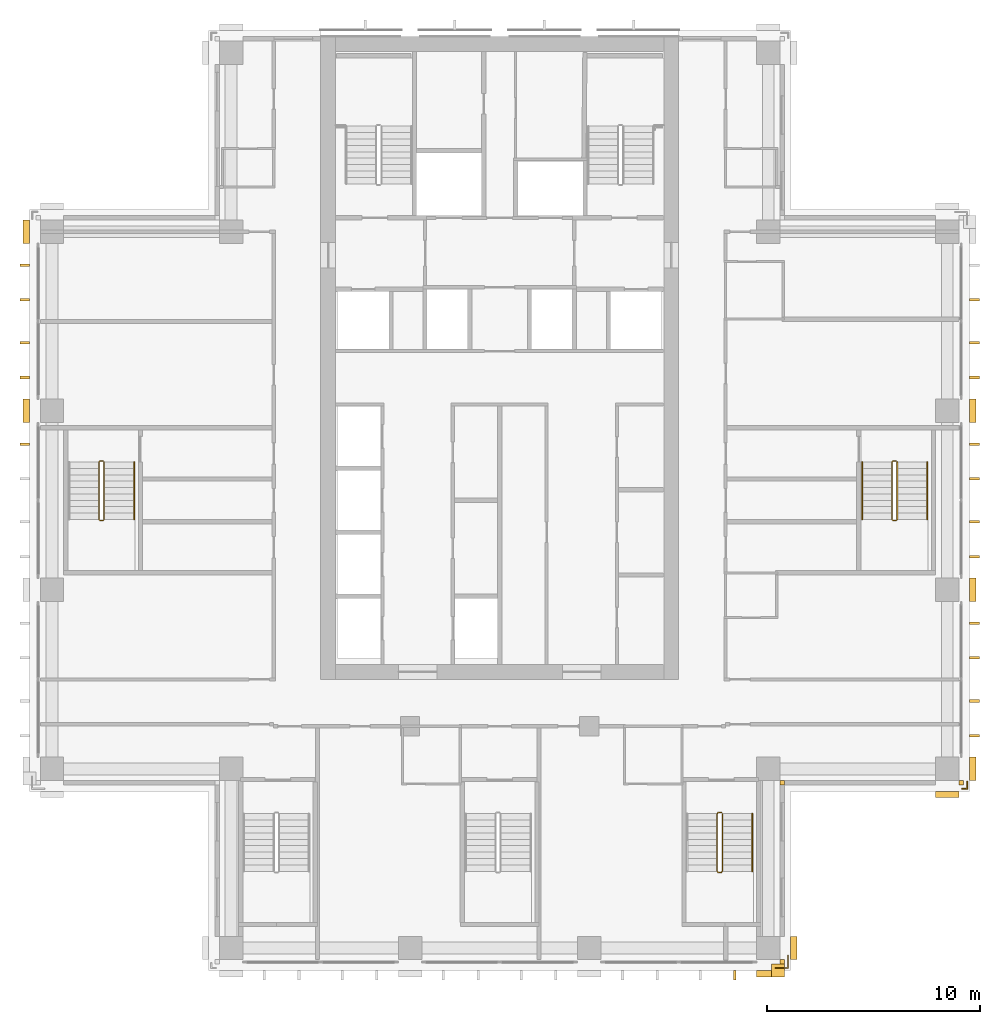
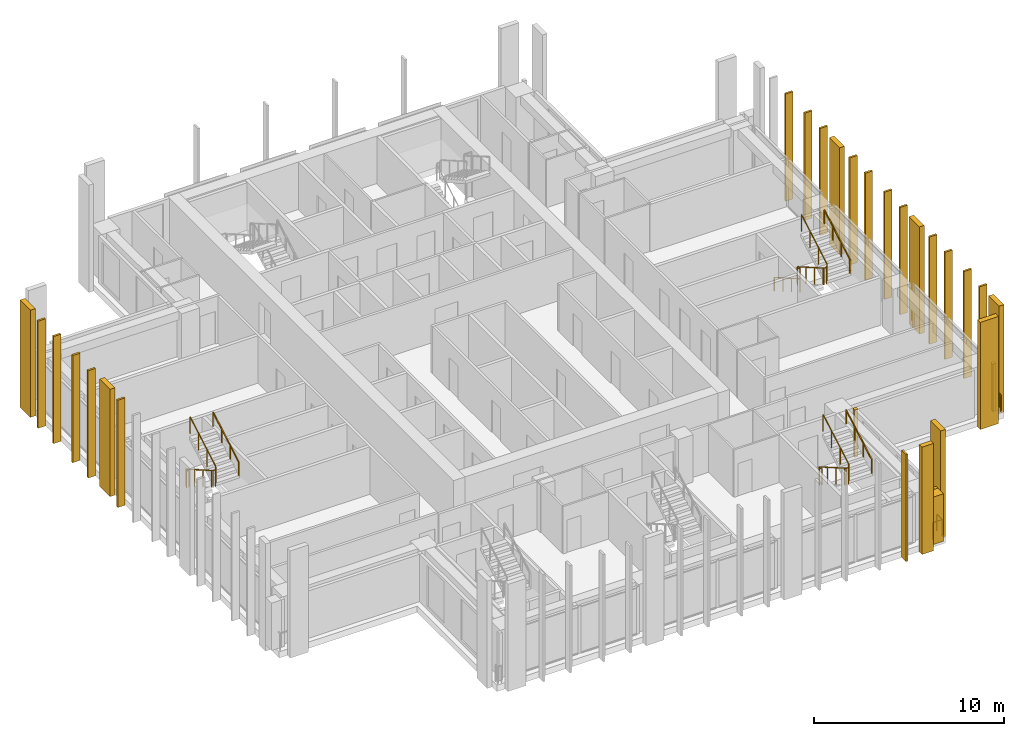
# One storey, part 15 of 16: 29 coverings, 9 railings.
"""IFC4 building model written with IfcOpenShell, lengths in metres."""

from ifc_helpers import new_model, si_unit, direction, frame, origin, origin_2d, place, context, subcontext, project, spatial, polyline, rectangle, outline, extrude, material, layer, layer_set, type_object, element, save


model = new_model("IFC4")

# Units and contexts
model_context = context("Model", 3, precision=1e-05, world=origin(), true_north=direction((0.0, 1.0)))
body_context = subcontext(model_context, "Body", "Model", "MODEL_VIEW")
ifc_project = project(units=[si_unit("LENGTHUNIT", "METRE"), si_unit("AREAUNIT", "SQUARE_METRE"), si_unit("VOLUMEUNIT", "CUBIC_METRE"), si_unit("PLANEANGLEUNIT", "RADIAN"), si_unit("MASSUNIT", "GRAM", prefix="KILO")], contexts=[model_context])

# Site, building, storey
site_placement = place(None, origin())
site = spatial("IfcSite", under=ifc_project, at=site_placement, CompositionType="ELEMENT")
building_placement = place(site_placement, origin())
building = spatial("IfcBuilding", under=site, at=building_placement, Name="Vermilion Ogive Tower", CompositionType="ELEMENT")
storey_placement = place(building_placement, frame((0.0, 0.0, 150.35009765625)))
storey = spatial("IfcBuildingStorey", under=building, at=storey_placement, Name="L38", CompositionType="ELEMENT", Elevation=150.35009765625)

# Coverings
ifc_material_1 = material(Name="Glazed ceramic screen")
ifc_layer = layer(ifc_material_1, 0.14990234375)
ifc_layer_set = layer_set([ifc_layer], Name="Ceramic solar screen fin")
covering_type_1 = type_object("IfcCoveringType", Name="Ceramic solar screen fin", PredefinedType="CLADDING", material=ifc_layer_set)
covering_1_placement = place(storey_placement, frame((0.0, 0.0, -0.400146484375)))
element("IfcCovering", 1, at=covering_1_placement, inside=storey, type_object=covering_type_1, Name="Solar screen blade S022", PredefinedType="CLADDING", context=body_context, shape_type="SweptSolid", body=[
    extrude(outline(polyline([(10.9775390625, -22.5), (11.097412109375, -22.5), (11.097412109375, -22.050048828125), (10.9775390625, -22.050048828125), (10.9775390625, -22.5)])), origin(), (0.0, 0.0, 1.0), 6.900146484375),
])
covering_2_placement = place(storey_placement, frame((0.0, 0.0, -0.400146484375)))
element("IfcCovering", 2, at=covering_2_placement, inside=storey, type_object=covering_type_1, Name="Solar screen blade E971", PredefinedType="CLADDING", context=body_context, shape_type="SweptSolid", body=[
    extrude(outline(polyline([(22.5, -11.097412109375), (22.5, -10.9775390625), (22.050048828125, -10.9775390625), (22.050048828125, -11.097412109375), (22.5, -11.097412109375)])), origin(), (0.0, 0.0, 1.0), 6.900146484375),
])
covering_3_placement = place(storey_placement, frame((0.0, 0.0, -0.400146484375)))
element("IfcCovering", 3, at=covering_3_placement, inside=storey, type_object=covering_type_1, Name="Solar screen blade E972", PredefinedType="CLADDING", context=body_context, shape_type="SweptSolid", body=[
    extrude(outline(polyline([(22.5, -9.472412109375), (22.5, -9.3525390625), (22.050048828125, -9.3525390625), (22.050048828125, -9.472412109375), (22.5, -9.472412109375)])), origin(), (0.0, 0.0, 1.0), 6.900146484375),
])
covering_4_placement = place(storey_placement, frame((0.0, 0.0, -0.400146484375)))
element("IfcCovering", 4, at=covering_4_placement, inside=storey, type_object=covering_type_1, Name="Solar screen blade E981", PredefinedType="CLADDING", context=body_context, shape_type="SweptSolid", body=[
    extrude(outline(polyline([(22.5, -7.447509765625), (22.5, -7.327392578125), (22.050048828125, -7.327392578125), (22.050048828125, -7.447509765625), (22.5, -7.447509765625)])), origin(), (0.0, 0.0, 1.0), 6.900146484375),
])
covering_5_placement = place(storey_placement, frame((0.0, 0.0, -0.400146484375)))
element("IfcCovering", 5, at=covering_5_placement, inside=storey, type_object=covering_type_1, Name="Solar screen blade E982", PredefinedType="CLADDING", context=body_context, shape_type="SweptSolid", body=[
    extrude(outline(polyline([(22.5, -5.822509765625), (22.5, -5.702392578125), (22.050048828125, -5.702392578125), (22.050048828125, -5.822509765625), (22.5, -5.822509765625)])), origin(), (0.0, 0.0, 1.0), 6.900146484375),
])
covering_6_placement = place(storey_placement, frame((0.0, 0.0, -0.400146484375)))
element("IfcCovering", 6, at=covering_6_placement, inside=storey, type_object=covering_type_1, Name="Solar screen blade E991", PredefinedType="CLADDING", context=body_context, shape_type="SweptSolid", body=[
    extrude(outline(polyline([(22.5, -2.697509765625), (22.5, -2.577392578125), (22.050048828125, -2.577392578125), (22.050048828125, -2.697509765625), (22.5, -2.697509765625)])), origin(), (0.0, 0.0, 1.0), 6.900146484375),
])
covering_7_placement = place(storey_placement, frame((0.0, 0.0, -0.400146484375)))
element("IfcCovering", 7, at=covering_7_placement, inside=storey, type_object=covering_type_1, Name="Solar screen blade E992", PredefinedType="CLADDING", context=body_context, shape_type="SweptSolid", body=[
    extrude(outline(polyline([(22.5, -1.072509765625), (22.5, -0.952392578125), (22.050048828125, -0.952392578125), (22.050048828125, -1.072509765625), (22.5, -1.072509765625)])), origin(), (0.0, 0.0, 1.0), 6.900146484375),
])
covering_8_placement = place(storey_placement, frame((0.0, 0.0, -0.400146484375)))
element("IfcCovering", 8, at=covering_8_placement, inside=storey, type_object=covering_type_1, Name="Solar screen blade E001", PredefinedType="CLADDING", context=body_context, shape_type="SweptSolid", body=[
    extrude(outline(polyline([(22.5, 0.952392578125), (22.5, 1.072509765625), (22.050048828125, 1.072509765625), (22.050048828125, 0.952392578125), (22.5, 0.952392578125)])), origin(), (0.0, 0.0, 1.0), 6.900146484375),
])
covering_9_placement = place(storey_placement, frame((0.0, 0.0, -0.400146484375)))
element("IfcCovering", 9, at=covering_9_placement, inside=storey, type_object=covering_type_1, Name="Solar screen blade E002", PredefinedType="CLADDING", context=body_context, shape_type="SweptSolid", body=[
    extrude(outline(polyline([(22.5, 2.577392578125), (22.5, 2.697509765625), (22.050048828125, 2.697509765625), (22.050048828125, 2.577392578125), (22.5, 2.577392578125)])), origin(), (0.0, 0.0, 1.0), 6.900146484375),
])
covering_10_placement = place(storey_placement, frame((0.0, 0.0, -0.400146484375)))
element("IfcCovering", 10, at=covering_10_placement, inside=storey, type_object=covering_type_1, Name="Solar screen blade E011", PredefinedType="CLADDING", context=body_context, shape_type="SweptSolid", body=[
    extrude(outline(polyline([(22.5, 5.702392578125), (22.5, 5.822509765625), (22.050048828125, 5.822509765625), (22.050048828125, 5.702392578125), (22.5, 5.702392578125)])), origin(), (0.0, 0.0, 1.0), 6.900146484375),
])
covering_11_placement = place(storey_placement, frame((0.0, 0.0, -0.400146484375)))
element("IfcCovering", 11, at=covering_11_placement, inside=storey, type_object=covering_type_1, Name="Solar screen blade E012", PredefinedType="CLADDING", context=body_context, shape_type="SweptSolid", body=[
    extrude(outline(polyline([(22.5, 7.327392578125), (22.5, 7.447509765625), (22.050048828125, 7.447509765625), (22.050048828125, 7.327392578125), (22.5, 7.327392578125)])), origin(), (0.0, 0.0, 1.0), 6.900146484375),
])
covering_12_placement = place(storey_placement, frame((0.0, 0.0, -0.400146484375)))
element("IfcCovering", 12, at=covering_12_placement, inside=storey, type_object=covering_type_1, Name="Solar screen blade E021", PredefinedType="CLADDING", context=body_context, shape_type="SweptSolid", body=[
    extrude(outline(polyline([(22.5, 9.3525390625), (22.5, 9.472412109375), (22.050048828125, 9.472412109375), (22.050048828125, 9.3525390625), (22.5, 9.3525390625)])), origin(), (0.0, 0.0, 1.0), 6.900146484375),
])
covering_13_placement = place(storey_placement, frame((0.0, 0.0, -0.400146484375)))
element("IfcCovering", 13, at=covering_13_placement, inside=storey, type_object=covering_type_1, Name="Solar screen blade W011", PredefinedType="CLADDING", context=body_context, shape_type="SweptSolid", body=[
    extrude(outline(polyline([(-22.5, 7.447509765625), (-22.5, 7.327392578125), (-22.050048828125, 7.327392578125), (-22.050048828125, 7.447509765625), (-22.5, 7.447509765625)])), origin(), (0.0, 0.0, 1.0), 6.900146484375),
])
covering_14_placement = place(storey_placement, frame((0.0, 0.0, -0.400146484375)))
element("IfcCovering", 14, at=covering_14_placement, inside=storey, type_object=covering_type_1, Name="Solar screen blade W012", PredefinedType="CLADDING", context=body_context, shape_type="SweptSolid", body=[
    extrude(outline(polyline([(-22.5, 5.822509765625), (-22.5, 5.702392578125), (-22.050048828125, 5.702392578125), (-22.050048828125, 5.822509765625), (-22.5, 5.822509765625)])), origin(), (0.0, 0.0, 1.0), 6.900146484375),
])
covering_15_placement = place(storey_placement, frame((0.0, 0.0, -0.400146484375)))
element("IfcCovering", 15, at=covering_15_placement, inside=storey, type_object=covering_type_1, Name="Solar screen blade W021", PredefinedType="CLADDING", context=body_context, shape_type="SweptSolid", body=[
    extrude(outline(polyline([(-22.5, 11.097412109375), (-22.5, 10.9775390625), (-22.050048828125, 10.9775390625), (-22.050048828125, 11.097412109375), (-22.5, 11.097412109375)])), origin(), (0.0, 0.0, 1.0), 6.900146484375),
])
covering_16_placement = place(storey_placement, frame((0.0, 0.0, -0.400146484375)))
element("IfcCovering", 16, at=covering_16_placement, inside=storey, type_object=covering_type_1, Name="Solar screen blade W022", PredefinedType="CLADDING", context=body_context, shape_type="SweptSolid", body=[
    extrude(outline(polyline([(-22.5, 9.472412109375), (-22.5, 9.3525390625), (-22.050048828125, 9.3525390625), (-22.050048828125, 9.472412109375), (-22.5, 9.472412109375)])), origin(), (0.0, 0.0, 1.0), 6.900146484375),
])
covering_17_placement = place(storey_placement, frame((0.0, 0.0, -0.400146484375)))
element("IfcCovering", 17, at=covering_17_placement, inside=storey, type_object=covering_type_1, Name="Solar screen blade W001", PredefinedType="CLADDING", context=body_context, shape_type="SweptSolid", body=[
    extrude(outline(polyline([(-22.5, 2.697509765625), (-22.5, 2.577392578125), (-22.050048828125, 2.577392578125), (-22.050048828125, 2.697509765625), (-22.5, 2.697509765625)])), origin(), (0.0, 0.0, 1.0), 6.900146484375),
])

# Railings
ifc_material_2 = material(Name="Stainless steel", Category="steel")
railing_type_1 = type_object("IfcRailingType", Name="Slab edge guard SG1", PredefinedType="GUARDRAIL", material=ifc_material_2)
railing_1_placement = place(storey_placement, frame((21.929931640625, -13.199951171875, 0.0)))
element("IfcRailing", 18, at=railing_1_placement, inside=storey, type_object=railing_type_1, Name="L38 slab corner guard", PredefinedType="GUARDRAIL", context=body_context, shape_type="SweptSolid", body=[
    extrude(rectangle(XDim=0.050048828125, YDim=0.050048828125, at=origin_2d()), frame((0.0, 0.0, 1.0751953125), z_axis=(0.0, -1.0, 0.0), x_axis=(1.0, 0.0, 0.0)), (0.0, 0.0, 1.0), 0.330078125),
    extrude(rectangle(XDim=0.050048828125, YDim=0.050048828125, at=origin_2d()), frame((0.0, -0.330078125, 1.0751953125), z_axis=(-1.0, 0.0, 0.0), x_axis=(0.0, -1.0, 0.0)), (0.0, 0.0, 1.0), 0.22998046875),
    extrude(rectangle(XDim=0.050048828125, YDim=0.050048828125, at=origin_2d()), origin(), (0.0, 0.0, 1.0), 1.050048828125),
    extrude(rectangle(XDim=0.050048828125, YDim=0.050048828125, at=origin_2d()), frame((0.0, -0.330078125, 0.0)), (0.0, 0.0, 1.0), 1.050048828125),
    extrude(rectangle(XDim=0.050048828125, YDim=0.050048828125, at=origin_2d()), frame((-0.22998046875, -0.330078125, 0.0)), (0.0, 0.0, 1.0), 1.050048828125),
])
railing_2_placement = place(storey_placement, frame((12.949951171875, -21.929931640625, 0.0)))
element("IfcRailing", 19, at=railing_2_placement, inside=storey, type_object=railing_type_1, Name="L38 slab corner guard", PredefinedType="GUARDRAIL", context=body_context, shape_type="SweptSolid", body=[
    extrude(rectangle(XDim=0.050048828125, YDim=0.050048828125, at=origin_2d()), frame((0.0, 0.0, 1.0751953125), z_axis=(1.0, 0.0, 0.0), x_axis=(0.0, 1.0, 0.0)), (0.0, 0.0, 1.0), 0.580078125),
    extrude(rectangle(XDim=0.050048828125, YDim=0.050048828125, at=origin_2d()), frame((0.580078125, 0.0, 1.0751953125), z_axis=(0.0, 1.0, 0.0), x_axis=(-1.0, 0.0, 0.0)), (0.0, 0.0, 1.0), 0.579833984375),
    extrude(rectangle(XDim=0.050048828125, YDim=0.050048828125, at=origin_2d()), origin(), (0.0, 0.0, 1.0), 1.050048828125),
    extrude(rectangle(XDim=0.050048828125, YDim=0.050048828125, at=origin_2d()), frame((0.580078125, 0.0, 0.0)), (0.0, 0.0, 1.0), 1.050048828125),
    extrude(rectangle(XDim=0.050048828125, YDim=0.050048828125, at=origin_2d()), frame((0.580078125, 0.579833984375, 0.0)), (0.0, 0.0, 1.0), 1.050048828125),
])
ifc_material_3 = material(Name="Steel S355 painted", Category="steel")
railing_type_2 = type_object("IfcRailingType", Name="Stair guard 1100", PredefinedType="GUARDRAIL", material=ifc_material_3)
railing_3_placement = place(storey_placement, frame((10.39990234375, -14.64990234375, 0.0)))
element("IfcRailing", 20, at=railing_3_placement, inside=storey, type_object=railing_type_2, Name="L38 ST5 stair guard 4", PredefinedType="GUARDRAIL", context=body_context, shape_type="SweptSolid", body=[
    extrude(rectangle(XDim=0.048095703125, YDim=0.048095703125, at=origin_2d()), frame((0.0, 0.0, 1.076171875), z_axis=(-1.0, 0.0, 0.0), x_axis=(0.0, -1.0, 0.0)), (0.0, 0.0, 1.0), 0.14990234375),
    extrude(rectangle(XDim=0.048095703125, YDim=0.048095703125, at=origin_2d()), frame((-0.14990234375, 0.0, 1.076171875), z_axis=(-0.268603158521, -0.268603158521, 0.925043072762), x_axis=(0.707106781187, -0.707106781187, 0.0)), (0.0, 0.0, 1.0), 0.186279296875),
    extrude(rectangle(XDim=0.048095703125, YDim=0.048095703125, at=origin_2d()), frame((-0.199951171875, -0.050048828125, 1.24853515625), z_axis=(0.0, -0.866903762492, 0.498475542607), x_axis=(1.0, 0.0, 0.0)), (0.0, 0.0, 1.0), 3.114501953125),
    extrude(rectangle(XDim=0.048095703125, YDim=0.048095703125, at=origin_2d()), frame((-0.199951171875, -2.75, 2.80078125), z_axis=(0.707106781187, -0.707106781187, 0.0), x_axis=(0.707106781187, 0.707106781187, 0.0)), (0.0, 0.0, 1.0), 0.07080078125),
    extrude(rectangle(XDim=0.048095703125, YDim=0.048095703125, at=origin_2d()), frame((-0.14990234375, -2.800048828125, 2.80078125), z_axis=(1.0, 0.0, 0.0), x_axis=(0.0, 1.0, 0.0)), (0.0, 0.0, 1.0), 0.14990234375),
    extrude(rectangle(XDim=0.048095703125, YDim=0.048095703125, at=origin_2d()), frame((0.0, -2.800048828125, 2.80078125), z_axis=(0.268277960024, 0.268277960024, 0.925231793839), x_axis=(-0.707106781187, 0.707106781187, 0.0)), (0.0, 0.0, 1.0), 0.1865234375),
    extrude(rectangle(XDim=0.048095703125, YDim=0.048095703125, at=origin_2d()), frame((0.050048828125, -2.75, 2.9736328125), z_axis=(0.0, 0.866903762492, 0.498475542607), x_axis=(-1.0, 0.0, 0.0)), (0.0, 0.0, 1.0), 3.114501953125),
    extrude(rectangle(XDim=0.0419921875, YDim=0.0419921875, at=origin_2d()), origin(), (0.0, 0.0, 1.0), 1.052001953125),
    extrude(rectangle(XDim=0.0419921875, YDim=0.0419921875, at=origin_2d()), frame((-0.14990234375, 0.0, 0.0)), (0.0, 0.0, 1.0), 1.052001953125),
    extrude(rectangle(XDim=0.0419921875, YDim=0.0419921875, at=origin_2d()), frame((-0.199951171875, -0.050048828125, 0.17236328125)), (0.0, 0.0, 1.0), 1.052001953125),
    extrude(rectangle(XDim=0.0419921875, YDim=0.0419921875, at=origin_2d()), frame((-0.199951171875, -0.949951171875, 0.68994140625)), (0.0, 0.0, 1.0), 1.052001953125),
    extrude(rectangle(XDim=0.0419921875, YDim=0.0419921875, at=origin_2d()), frame((-0.199951171875, -1.85009765625, 1.207275390625)), (0.0, 0.0, 1.0), 1.052001953125),
    extrude(rectangle(XDim=0.0419921875, YDim=0.0419921875, at=origin_2d()), frame((-0.199951171875, -2.75, 1.724853515625)), (0.0, 0.0, 1.0), 1.052001953125),
    extrude(rectangle(XDim=0.0419921875, YDim=0.0419921875, at=origin_2d()), frame((-0.14990234375, -2.800048828125, 1.724853515625)), (0.0, 0.0, 1.0), 1.052001953125),
    extrude(rectangle(XDim=0.0419921875, YDim=0.0419921875, at=origin_2d()), frame((0.0, -2.800048828125, 1.724853515625)), (0.0, 0.0, 1.0), 1.052001953125),
    extrude(rectangle(XDim=0.0419921875, YDim=0.0419921875, at=origin_2d()), frame((0.050048828125, -2.75, 1.8974609375)), (0.0, 0.0, 1.0), 1.052001953125),
    extrude(rectangle(XDim=0.0419921875, YDim=0.0419921875, at=origin_2d()), frame((0.050048828125, -1.85009765625, 2.4150390625)), (0.0, 0.0, 1.0), 1.052001953125),
    extrude(rectangle(XDim=0.0419921875, YDim=0.0419921875, at=origin_2d()), frame((0.050048828125, -0.949951171875, 2.932373046875)), (0.0, 0.0, 1.0), 1.052001953125),
    extrude(rectangle(XDim=0.0419921875, YDim=0.0419921875, at=origin_2d()), frame((0.050048828125, -0.050048828125, 3.449951171875)), (0.0, 0.0, 1.0), 1.052001953125),
])
railing_4_placement = place(storey_placement, frame((18.60009765625, 1.85009765625, 0.0)))
element("IfcRailing", 21, at=railing_4_placement, inside=storey, type_object=railing_type_2, Name="L38 ST8 stair guard 4", PredefinedType="GUARDRAIL", context=body_context, shape_type="SweptSolid", body=[
    extrude(rectangle(XDim=0.048095703125, YDim=0.048095703125, at=origin_2d()), frame((0.0, 0.0, 1.076171875), z_axis=(-1.0, 0.0, 0.0), x_axis=(0.0, -1.0, 0.0)), (0.0, 0.0, 1.0), 0.150146484375),
    extrude(rectangle(XDim=0.048095703125, YDim=0.048095703125, at=origin_2d()), frame((-0.150146484375, 0.0, 1.076171875), z_axis=(-0.268603158521, -0.268603158521, 0.925043072762), x_axis=(0.707106781187, -0.707106781187, 0.0)), (0.0, 0.0, 1.0), 0.186279296875),
    extrude(rectangle(XDim=0.048095703125, YDim=0.048095703125, at=origin_2d()), frame((-0.2001953125, -0.050048828125, 1.24853515625), z_axis=(0.0, -0.866903762492, 0.498475542607), x_axis=(1.0, 0.0, 0.0)), (0.0, 0.0, 1.0), 3.114501953125),
    extrude(rectangle(XDim=0.048095703125, YDim=0.048095703125, at=origin_2d()), frame((-0.2001953125, -2.75, 2.80078125), z_axis=(0.707106781187, -0.707106781187, 0.0), x_axis=(0.707106781187, 0.707106781187, 0.0)), (0.0, 0.0, 1.0), 0.07080078125),
    extrude(rectangle(XDim=0.048095703125, YDim=0.048095703125, at=origin_2d()), frame((-0.150146484375, -2.800048828125, 2.80078125), z_axis=(1.0, 0.0, 0.0), x_axis=(0.0, 1.0, 0.0)), (0.0, 0.0, 1.0), 0.150146484375),
    extrude(rectangle(XDim=0.048095703125, YDim=0.048095703125, at=origin_2d()), frame((0.0, -2.800048828125, 2.80078125), z_axis=(0.267062837333, 0.268371968888, 0.925556009775), x_axis=(-0.708833529934, 0.705375805398, 0.0)), (0.0, 0.0, 1.0), 0.1865234375),
    extrude(rectangle(XDim=0.048095703125, YDim=0.048095703125, at=origin_2d()), frame((0.0498046875, -2.75, 2.9736328125), z_axis=(0.0, 0.866903762492, 0.498475542607), x_axis=(-1.0, 0.0, 0.0)), (0.0, 0.0, 1.0), 3.114501953125),
    extrude(rectangle(XDim=0.0419921875, YDim=0.0419921875, at=origin_2d()), origin(), (0.0, 0.0, 1.0), 1.052001953125),
    extrude(rectangle(XDim=0.0419921875, YDim=0.0419921875, at=origin_2d()), frame((-0.150146484375, 0.0, 0.0)), (0.0, 0.0, 1.0), 1.052001953125),
    extrude(rectangle(XDim=0.0419921875, YDim=0.0419921875, at=origin_2d()), frame((-0.2001953125, -0.050048828125, 0.17236328125)), (0.0, 0.0, 1.0), 1.052001953125),
    extrude(rectangle(XDim=0.0419921875, YDim=0.0419921875, at=origin_2d()), frame((-0.2001953125, -0.949951171875, 0.68994140625)), (0.0, 0.0, 1.0), 1.052001953125),
    extrude(rectangle(XDim=0.0419921875, YDim=0.0419921875, at=origin_2d()), frame((-0.2001953125, -1.85009765625, 1.207275390625)), (0.0, 0.0, 1.0), 1.052001953125),
    extrude(rectangle(XDim=0.0419921875, YDim=0.0419921875, at=origin_2d()), frame((-0.2001953125, -2.75, 1.724853515625)), (0.0, 0.0, 1.0), 1.052001953125),
    extrude(rectangle(XDim=0.0419921875, YDim=0.0419921875, at=origin_2d()), frame((-0.150146484375, -2.800048828125, 1.724853515625)), (0.0, 0.0, 1.0), 1.052001953125),
    extrude(rectangle(XDim=0.0419921875, YDim=0.0419921875, at=origin_2d()), frame((0.0, -2.800048828125, 1.724853515625)), (0.0, 0.0, 1.0), 1.052001953125),
    extrude(rectangle(XDim=0.0419921875, YDim=0.0419921875, at=origin_2d()), frame((0.0498046875, -2.75, 1.8974609375)), (0.0, 0.0, 1.0), 1.052001953125),
    extrude(rectangle(XDim=0.0419921875, YDim=0.0419921875, at=origin_2d()), frame((0.0498046875, -1.85009765625, 2.4150390625)), (0.0, 0.0, 1.0), 1.052001953125),
    extrude(rectangle(XDim=0.0419921875, YDim=0.0419921875, at=origin_2d()), frame((0.0498046875, -0.949951171875, 2.932373046875)), (0.0, 0.0, 1.0), 1.052001953125),
    extrude(rectangle(XDim=0.0419921875, YDim=0.0419921875, at=origin_2d()), frame((0.0498046875, -0.050048828125, 3.449951171875)), (0.0, 0.0, 1.0), 1.052001953125),
])
railing_5_placement = place(storey_placement, frame((-18.60009765625, 1.85009765625, 0.0)))
element("IfcRailing", 22, at=railing_5_placement, inside=storey, type_object=railing_type_2, Name="L38 ST9 stair guard 4", PredefinedType="GUARDRAIL", context=body_context, shape_type="SweptSolid", body=[
    extrude(rectangle(XDim=0.048095703125, YDim=0.048095703125, at=origin_2d()), frame((0.0, 0.0, 1.076171875), z_axis=(-1.0, 0.0, 0.0), x_axis=(0.0, -1.0, 0.0)), (0.0, 0.0, 1.0), 0.14990234375),
    extrude(rectangle(XDim=0.048095703125, YDim=0.048095703125, at=origin_2d()), frame((-0.14990234375, 0.0, 1.076171875), z_axis=(-0.268603158521, -0.268603158521, 0.925043072762), x_axis=(0.707106781187, -0.707106781187, 0.0)), (0.0, 0.0, 1.0), 0.186279296875),
    extrude(rectangle(XDim=0.048095703125, YDim=0.048095703125, at=origin_2d()), frame((-0.199951171875, -0.050048828125, 1.24853515625), z_axis=(0.0, -0.866903762492, 0.498475542607), x_axis=(1.0, 0.0, 0.0)), (0.0, 0.0, 1.0), 3.114501953125),
    extrude(rectangle(XDim=0.048095703125, YDim=0.048095703125, at=origin_2d()), frame((-0.199951171875, -2.75, 2.80078125), z_axis=(0.707106781187, -0.707106781187, 0.0), x_axis=(0.707106781187, 0.707106781187, 0.0)), (0.0, 0.0, 1.0), 0.07080078125),
    extrude(rectangle(XDim=0.048095703125, YDim=0.048095703125, at=origin_2d()), frame((-0.14990234375, -2.800048828125, 2.80078125), z_axis=(1.0, 0.0, 0.0), x_axis=(0.0, 1.0, 0.0)), (0.0, 0.0, 1.0), 0.14990234375),
    extrude(rectangle(XDim=0.048095703125, YDim=0.048095703125, at=origin_2d()), frame((0.0, -2.800048828125, 2.80078125), z_axis=(0.268277960024, 0.268277960024, 0.925231793839), x_axis=(-0.707106781187, 0.707106781187, 0.0)), (0.0, 0.0, 1.0), 0.1865234375),
    extrude(rectangle(XDim=0.048095703125, YDim=0.048095703125, at=origin_2d()), frame((0.050048828125, -2.75, 2.9736328125), z_axis=(0.0, 0.866903762492, 0.498475542607), x_axis=(-1.0, 0.0, 0.0)), (0.0, 0.0, 1.0), 3.114501953125),
    extrude(rectangle(XDim=0.0419921875, YDim=0.0419921875, at=origin_2d()), origin(), (0.0, 0.0, 1.0), 1.052001953125),
    extrude(rectangle(XDim=0.0419921875, YDim=0.0419921875, at=origin_2d()), frame((-0.14990234375, 0.0, 0.0)), (0.0, 0.0, 1.0), 1.052001953125),
    extrude(rectangle(XDim=0.0419921875, YDim=0.0419921875, at=origin_2d()), frame((-0.199951171875, -0.050048828125, 0.17236328125)), (0.0, 0.0, 1.0), 1.052001953125),
    extrude(rectangle(XDim=0.0419921875, YDim=0.0419921875, at=origin_2d()), frame((-0.199951171875, -0.949951171875, 0.68994140625)), (0.0, 0.0, 1.0), 1.052001953125),
    extrude(rectangle(XDim=0.0419921875, YDim=0.0419921875, at=origin_2d()), frame((-0.199951171875, -1.85009765625, 1.207275390625)), (0.0, 0.0, 1.0), 1.052001953125),
    extrude(rectangle(XDim=0.0419921875, YDim=0.0419921875, at=origin_2d()), frame((-0.199951171875, -2.75, 1.724853515625)), (0.0, 0.0, 1.0), 1.052001953125),
    extrude(rectangle(XDim=0.0419921875, YDim=0.0419921875, at=origin_2d()), frame((-0.14990234375, -2.800048828125, 1.724853515625)), (0.0, 0.0, 1.0), 1.052001953125),
    extrude(rectangle(XDim=0.0419921875, YDim=0.0419921875, at=origin_2d()), frame((0.0, -2.800048828125, 1.724853515625)), (0.0, 0.0, 1.0), 1.052001953125),
    extrude(rectangle(XDim=0.0419921875, YDim=0.0419921875, at=origin_2d()), frame((0.050048828125, -2.75, 1.8974609375)), (0.0, 0.0, 1.0), 1.052001953125),
    extrude(rectangle(XDim=0.0419921875, YDim=0.0419921875, at=origin_2d()), frame((0.050048828125, -1.85009765625, 2.4150390625)), (0.0, 0.0, 1.0), 1.052001953125),
    extrude(rectangle(XDim=0.0419921875, YDim=0.0419921875, at=origin_2d()), frame((0.050048828125, -0.949951171875, 2.932373046875)), (0.0, 0.0, 1.0), 1.052001953125),
    extrude(rectangle(XDim=0.0419921875, YDim=0.0419921875, at=origin_2d()), frame((0.050048828125, -0.050048828125, 3.449951171875)), (0.0, 0.0, 1.0), 1.052001953125),
])
ifc_material_4 = material(Name="Stainless steel", Category="steel")
railing_type_3 = type_object("IfcRailingType", Name="Stair handrail 900", PredefinedType="HANDRAIL", material=ifc_material_4)
railing_6_placement = place(storey_placement, frame((11.85009765625, -17.39990234375, 1.8974609375)))
element("IfcRailing", 23, at=railing_6_placement, inside=storey, type_object=railing_type_3, Name="L38 ST5 stair handrail 2", PredefinedType="HANDRAIL", context=body_context, shape_type="SweptSolid", body=[
    extrude(rectangle(XDim=0.048095703125, YDim=0.048095703125, at=origin_2d()), frame((0.0, 0.0, 0.8759765625), z_axis=(0.0, 0.866903762492, 0.498475542607), x_axis=(-1.0, 0.0, 0.0)), (0.0, 0.0, 1.0), 3.114501953125),
    extrude(rectangle(XDim=0.0419921875, YDim=0.0419921875, at=origin_2d()), origin(), (0.0, 0.0, 1.0), 0.851806640625),
    extrude(rectangle(XDim=0.0419921875, YDim=0.0419921875, at=origin_2d()), frame((0.0, 0.89990234375, 0.517578125)), (0.0, 0.0, 1.0), 0.851806640625),
    extrude(rectangle(XDim=0.0419921875, YDim=0.0419921875, at=origin_2d()), frame((0.0, 1.800048828125, 1.034912109375)), (0.0, 0.0, 1.0), 0.851806640625),
    extrude(rectangle(XDim=0.0419921875, YDim=0.0419921875, at=origin_2d()), frame((0.0, 2.699951171875, 1.552490234375)), (0.0, 0.0, 1.0), 0.851806640625),
])
railing_7_placement = place(storey_placement, frame((17.0, 1.800048828125, 0.17236328125)))
element("IfcRailing", 24, at=railing_7_placement, inside=storey, type_object=railing_type_3, Name="L38 ST8 stair handrail 1", PredefinedType="HANDRAIL", context=body_context, shape_type="SweptSolid", body=[
    extrude(rectangle(XDim=0.048095703125, YDim=0.048095703125, at=origin_2d()), frame((0.0, 0.0, 0.8759765625), z_axis=(0.0, -0.866903762492, 0.498475542607), x_axis=(1.0, 0.0, 0.0)), (0.0, 0.0, 1.0), 3.114501953125),
    extrude(rectangle(XDim=0.0419921875, YDim=0.0419921875, at=origin_2d()), origin(), (0.0, 0.0, 1.0), 0.851806640625),
    extrude(rectangle(XDim=0.0419921875, YDim=0.0419921875, at=origin_2d()), frame((0.0, -0.89990234375, 0.517578125)), (0.0, 0.0, 1.0), 0.851806640625),
    extrude(rectangle(XDim=0.0419921875, YDim=0.0419921875, at=origin_2d()), frame((0.0, -1.800048828125, 1.034912109375)), (0.0, 0.0, 1.0), 0.851806640625),
    extrude(rectangle(XDim=0.0419921875, YDim=0.0419921875, at=origin_2d()), frame((0.0, -2.699951171875, 1.552490234375)), (0.0, 0.0, 1.0), 0.851806640625),
])
for number, where, name in (
    (25, (20.050048828125, -0.89990234375, 1.8974609375), "L38 ST8 stair handrail 2"),
    (26, (-17.14990234375, -0.89990234375, 1.8974609375), "L38 ST9 stair handrail 2"),
):
    element("IfcRailing", number, at=place(storey_placement, frame(where)), inside=storey, type_object=railing_type_3, Name=name, PredefinedType="HANDRAIL", context=body_context, shape_type="SweptSolid", body=[
        extrude(rectangle(XDim=0.048095703125, YDim=0.048095703125, at=origin_2d()), frame((0.0, 0.0, 0.8759765625), z_axis=(0.0, 0.866903762492, 0.498475542607), x_axis=(-1.0, 0.0, 0.0)), (0.0, 0.0, 1.0), 3.114501953125),
        extrude(rectangle(XDim=0.0419921875, YDim=0.0419921875, at=origin_2d()), origin(), (0.0, 0.0, 1.0), 0.851806640625),
        extrude(rectangle(XDim=0.0419921875, YDim=0.0419921875, at=origin_2d()), frame((0.0, 0.89990234375, 0.517578125)), (0.0, 0.0, 1.0), 0.851806640625),
        extrude(rectangle(XDim=0.0419921875, YDim=0.0419921875, at=origin_2d()), frame((0.0, 1.800048828125, 1.034912109375)), (0.0, 0.0, 1.0), 0.851806640625),
        extrude(rectangle(XDim=0.0419921875, YDim=0.0419921875, at=origin_2d()), frame((0.0, 2.699951171875, 1.552490234375)), (0.0, 0.0, 1.0), 0.851806640625),
    ])

# Coverings
ifc_material_5 = material(Name="Stone cladding", Category="masonry")
covering_type_2 = type_object("IfcCoveringType", Name="Stone corner buttress", PredefinedType="CLADDING", material=ifc_material_5)
covering_18_placement = place(storey_placement, origin())
element("IfcCovering", 27, at=covering_18_placement, inside=storey, type_object=covering_type_2, Name="Stone crease pier SK", PredefinedType="CLADDING", context=body_context, shape_type="SweptSolid", body=[
    extrude(outline(polyline([(12.75, -22.35009765625), (13.35009765625, -22.35009765625), (13.35009765625, -21.75), (12.75, -21.75), (12.75, -22.35009765625)])), origin(), (0.0, 0.0, 1.0), 3.0498046875),
])
ifc_material_6 = material(Name="Stone cladding", Category="masonry")
covering_type_3 = type_object("IfcCoveringType", Name="Stone pier", PredefinedType="CLADDING", material=ifc_material_6)
covering_19_placement = place(storey_placement, origin())
element("IfcCovering", 28, at=covering_19_placement, inside=storey, type_object=covering_type_3, Name="Stone corner pier SE1", PredefinedType="CLADDING", context=body_context, shape_type="SweptSolid", body=[
    extrude(outline(polyline([(13.14990234375, -21.75), (13.14990234375, -21.550048828125), (13.35009765625, -21.550048828125), (13.35009765625, -21.75), (13.14990234375, -21.75)])), origin(), (0.0, 0.0, 1.0), 3.0498046875),
])
covering_20_placement = place(storey_placement, origin())
element("IfcCovering", 29, at=covering_20_placement, inside=storey, type_object=covering_type_3, Name="Stone corner pier X1E1", PredefinedType="CLADDING", context=body_context, shape_type="SweptSolid", body=[
    extrude(outline(polyline([(13.14990234375, -13.14990234375), (13.35009765625, -13.14990234375), (13.35009765625, -13.35009765625), (13.14990234375, -13.35009765625), (13.14990234375, -13.14990234375)])), origin(), (0.0, 0.0, 1.0), 3.0498046875),
])
covering_21_placement = place(storey_placement, origin())
element("IfcCovering", 30, at=covering_21_placement, inside=storey, type_object=covering_type_3, Name="Stone corner pier X2E1", PredefinedType="CLADDING", context=body_context, shape_type="SweptSolid", body=[
    extrude(outline(polyline([(21.550048828125, -13.35009765625), (21.550048828125, -13.14990234375), (21.75, -13.14990234375), (21.75, -13.35009765625), (21.550048828125, -13.35009765625)])), origin(), (0.0, 0.0, 1.0), 3.0498046875),
])
covering_22_placement = place(storey_placement, frame((0.0, 0.0, -0.400146484375)))
element("IfcCovering", 31, at=covering_22_placement, inside=storey, type_object=covering_type_3, Name="Stone pier P+0126-210S", PredefinedType="CLADDING", context=body_context, shape_type="SweptSolid", body=[
    extrude(outline(polyline([(12.050048828125, -22.35009765625), (12.050048828125, -22.050048828125), (12.75, -22.050048828125), (12.75, -22.35009765625), (12.050048828125, -22.35009765625)])), origin(), (0.0, 0.0, 1.0), 6.900146484375),
])
covering_23_placement = place(storey_placement, frame((0.0, 0.0, -0.400146484375)))
element("IfcCovering", 32, at=covering_23_placement, inside=storey, type_object=covering_type_3, Name="Stone pier P+0126-210X1", PredefinedType="CLADDING", context=body_context, shape_type="SweptSolid", body=[
    extrude(outline(polyline([(13.949951171875, -21.550048828125), (13.64990234375, -21.550048828125), (13.64990234375, -20.449951171875), (13.949951171875, -20.449951171875), (13.949951171875, -21.550048828125)])), origin(), (0.0, 0.0, 1.0), 6.900146484375),
])
covering_24_placement = place(storey_placement, frame((0.0, 0.0, -0.400146484375)))
element("IfcCovering", 33, at=covering_24_placement, inside=storey, type_object=covering_type_3, Name="Stone pier P+0210+042", PredefinedType="CLADDING", context=body_context, shape_type="SweptSolid", body=[
    extrude(outline(polyline([(22.35009765625, 4.75), (22.35009765625, 3.64990234375), (22.050048828125, 3.64990234375), (22.050048828125, 4.75), (22.35009765625, 4.75)])), origin(), (0.0, 0.0, 1.0), 6.900146484375),
])
covering_25_placement = place(storey_placement, frame((0.0, 0.0, -0.400146484375)))
element("IfcCovering", 34, at=covering_25_placement, inside=storey, type_object=covering_type_3, Name="Stone pier P+0210-042", PredefinedType="CLADDING", context=body_context, shape_type="SweptSolid", body=[
    extrude(outline(polyline([(22.35009765625, -3.64990234375), (22.35009765625, -4.75), (22.050048828125, -4.75), (22.050048828125, -3.64990234375), (22.35009765625, -3.64990234375)])), origin(), (0.0, 0.0, 1.0), 6.900146484375),
])
covering_26_placement = place(storey_placement, frame((0.0, 0.0, -0.400146484375)))
element("IfcCovering", 35, at=covering_26_placement, inside=storey, type_object=covering_type_3, Name="Stone pier P+0210-126X2", PredefinedType="CLADDING", context=body_context, shape_type="SweptSolid", body=[
    extrude(outline(polyline([(21.550048828125, -13.949951171875), (20.449951171875, -13.949951171875), (20.449951171875, -13.64990234375), (21.550048828125, -13.64990234375), (21.550048828125, -13.949951171875)])), origin(), (0.0, 0.0, 1.0), 6.900146484375),
])
covering_27_placement = place(storey_placement, frame((0.0, 0.0, -0.400146484375)))
element("IfcCovering", 36, at=covering_27_placement, inside=storey, type_object=covering_type_3, Name="Stone pier P+0210-126E", PredefinedType="CLADDING", context=body_context, shape_type="SweptSolid", body=[
    extrude(outline(polyline([(22.35009765625, -13.14990234375), (22.050048828125, -13.14990234375), (22.050048828125, -12.050048828125), (22.35009765625, -12.050048828125), (22.35009765625, -13.14990234375)])), origin(), (0.0, 0.0, 1.0), 6.900146484375),
])
covering_28_placement = place(storey_placement, frame((0.0, 0.0, -0.400146484375)))
element("IfcCovering", 37, at=covering_28_placement, inside=storey, type_object=covering_type_3, Name="Stone pier P-0210+042", PredefinedType="CLADDING", context=body_context, shape_type="SweptSolid", body=[
    extrude(outline(polyline([(-22.35009765625, 3.64990234375), (-22.35009765625, 4.75), (-22.050048828125, 4.75), (-22.050048828125, 3.64990234375), (-22.35009765625, 3.64990234375)])), origin(), (0.0, 0.0, 1.0), 6.900146484375),
])
covering_29_placement = place(storey_placement, frame((0.0, 0.0, -0.400146484375)))
element("IfcCovering", 38, at=covering_29_placement, inside=storey, type_object=covering_type_3, Name="Stone pier P-0210+126W", PredefinedType="CLADDING", context=body_context, shape_type="SweptSolid", body=[
    extrude(outline(polyline([(-22.35009765625, 13.14990234375), (-22.050048828125, 13.14990234375), (-22.050048828125, 12.050048828125), (-22.35009765625, 12.050048828125), (-22.35009765625, 13.14990234375)])), origin(), (0.0, 0.0, 1.0), 6.900146484375),
])

save(model, "model.ifc")
